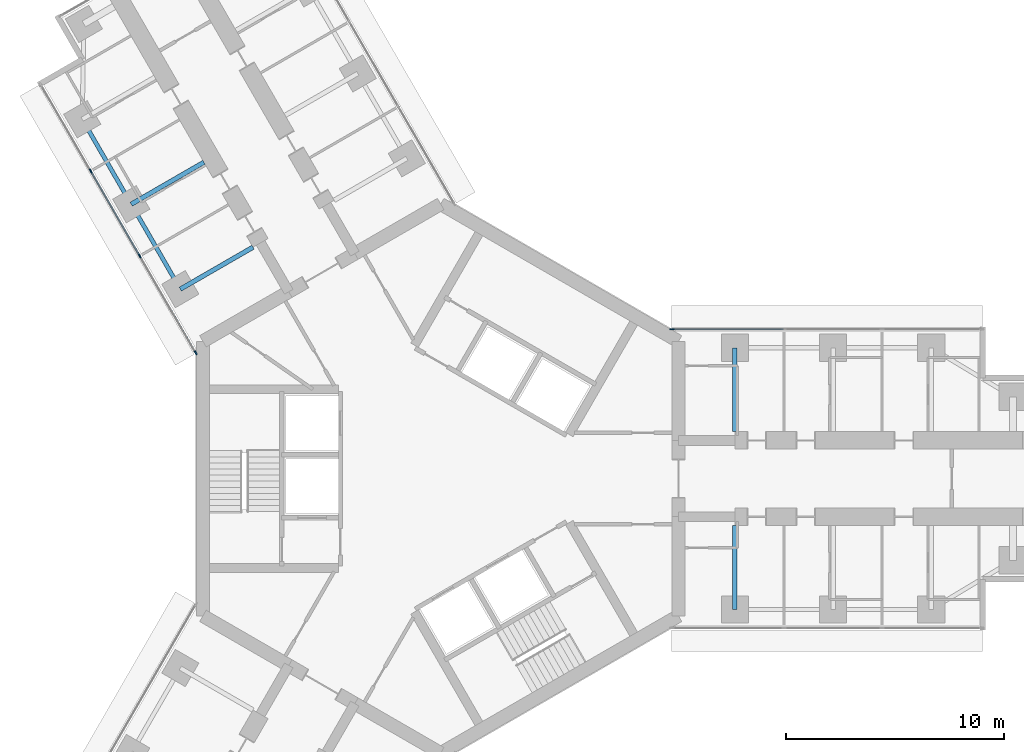
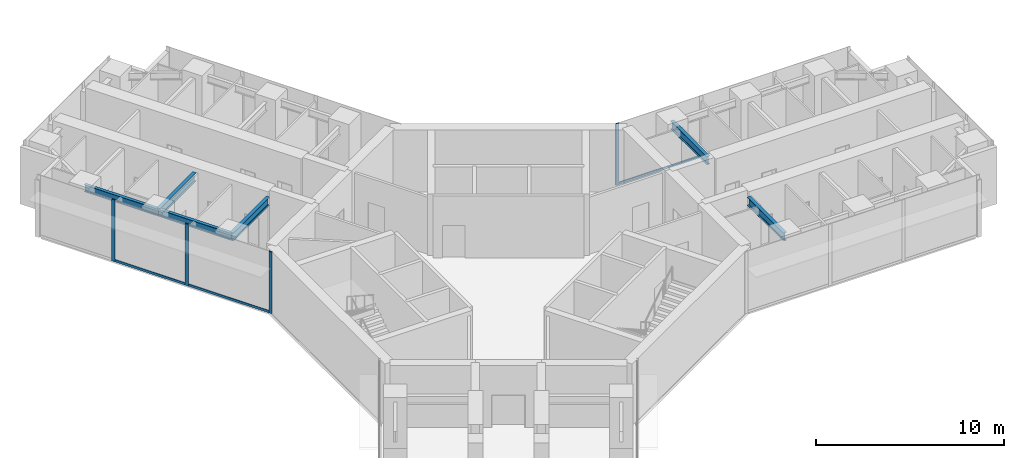
# One storey, part 5 of 23: 7 members, 6 beams, 2 elements without a shape of their own.
"""IFC4 building model written with IfcOpenShell, lengths in metres."""

from ifc_helpers import new_model, si_unit, direction, frame, origin, origin_2d, place, context, subcontext, project, spatial, rectangle, i_section, extrude, material, material_profile, profile_set, type_object, element, aggregate, save


model = new_model("IFC4")

# Units and contexts
model_context = context("Model", 3, precision=1e-05, world=origin(), true_north=direction((0.0, 1.0)))
body_context = subcontext(model_context, "Body", "Model", "MODEL_VIEW")
ifc_project = project(units=[si_unit("LENGTHUNIT", "METRE"), si_unit("AREAUNIT", "SQUARE_METRE"), si_unit("VOLUMEUNIT", "CUBIC_METRE"), si_unit("PLANEANGLEUNIT", "RADIAN"), si_unit("MASSUNIT", "GRAM", prefix="KILO")], contexts=[model_context])

# Site, building, storey
site_placement = place(None, origin())
site = spatial("IfcSite", under=ifc_project, at=site_placement, CompositionType="ELEMENT")
building_placement = place(site_placement, origin())
building = spatial("IfcBuilding", under=site, at=building_placement, Name="Upepo Twin Towers", CompositionType="ELEMENT")
storey_placement = place(building_placement, frame((0.0, 0.0, 161.5)))
storey = spatial("IfcBuildingStorey", under=building, at=storey_placement, Name="L39", CompositionType="ELEMENT", Elevation=161.5)

# Beams
ifc_material_1 = material(Name="Steel S355", Category="steel")
ifc_material_profile_1 = material_profile(ifc_material_1, i_section(OverallWidth=0.1904296875, OverallDepth=0.45703125, WebThickness=0.009033203125, FlangeThickness=0.014404296875, FilletRadius=0.01025390625, at=origin_2d()), Name="UB 457x191x74")
ifc_profile_set_1 = profile_set([ifc_material_profile_1], Name="Steel S355")
beam_type_1 = type_object("IfcBeamType", Name="Beam UB 457x191x74", PredefinedType="BEAM", material=ifc_profile_set_1)
beam_1_placement = place(storey_placement, frame((-11.946044921875, 8.69140625, 3.471435546875), z_axis=(-0.500013631625, 0.866017533419, 0.0), x_axis=(-0.866017533419, -0.500013631625, 0.0)))
element("IfcBeam", 1, at=beam_1_placement, inside=storey, type_object=beam_type_1, Name="T1 edge beam BL 13.5-18.0", PredefinedType="BEAM", context=body_context, shape_type="SweptSolid", body=[
    extrude(i_section(OverallWidth=0.1904296875, OverallDepth=0.45703125, WebThickness=0.009033203125, FlangeThickness=0.014404296875, FilletRadius=0.01025390625, at=origin_2d()), origin(), (0.0, 0.0, 1.0), 4.499755859375),
])
beam_2_placement = place(storey_placement, frame((-14.196044921875, 12.58837890625, 3.471435546875), z_axis=(-0.499990139034, 0.866031096941, 0.0), x_axis=(-0.866031096941, -0.499990139034, 0.0)))
element("IfcBeam", 2, at=beam_2_placement, inside=storey, type_object=beam_type_1, Name="T1 edge beam BL 18.0-22.5", PredefinedType="BEAM", context=body_context, shape_type="SweptSolid", body=[
    extrude(i_section(OverallWidth=0.1904296875, OverallDepth=0.45703125, WebThickness=0.009033203125, FlangeThickness=0.014404296875, FilletRadius=0.01025390625, at=origin_2d()), origin(), (0.0, 0.0, 1.0), 4.5),
])
ifc_material_2 = material(Name="Steel S355", Category="steel")
ifc_material_profile_2 = material_profile(ifc_material_2, i_section(OverallWidth=0.209228515625, OverallDepth=0.533203125, WebThickness=0.010009765625, FlangeThickness=0.015625, FilletRadius=0.0126953125, at=origin_2d()), Name="UB 533x210x92")
ifc_profile_set_2 = profile_set([ifc_material_profile_2], Name="Steel S355")
beam_type_2 = type_object("IfcBeamType", Name="Beam UB 533x210x92", PredefinedType="BEAM", material=ifc_profile_set_2)
for number, where, z_axis, x_axis, name in (
    (3, (13.5, 6.0, 3.433349609375), (0.0, -1.0, 0.0), (1.0, 0.0, 0.0), "T1 girder AL at 13.5"),
    (4, (13.5, -6.0, 3.433349609375), (0.0, 1.0, 0.0), (-1.0, 0.0, 0.0), "T1 girder AR at 13.5"),
):
    element("IfcBeam", number, at=place(storey_placement, frame(where, z_axis=z_axis, x_axis=x_axis)), inside=storey, type_object=beam_type_2, Name=name, PredefinedType="BEAM", context=body_context, shape_type="SweptSolid", body=[
        extrude(i_section(OverallWidth=0.209228515625, OverallDepth=0.533203125, WebThickness=0.010009765625, FlangeThickness=0.015625, FilletRadius=0.0126953125, at=origin_2d()), origin(), (0.0, 0.0, 1.0), 3.85009765625),
    ])
for number, where, z_axis, x_axis, name in (
    (5, (-11.946044921875, 8.69140625, 3.433349609375), (0.866006051527, 0.500033517596, 0.0), (-0.500033517596, 0.866006051527, 0.0), "T1 girder BL at 13.5"),
    (6, (-14.196044921875, 12.58837890625, 3.433349609375), (0.866006051527, 0.500033517596, 0.0), (-0.500033517596, 0.866006051527, 0.0), "T1 girder BL at 18.0"),
):
    element("IfcBeam", number, at=place(storey_placement, frame(where, z_axis=z_axis, x_axis=x_axis)), inside=storey, type_object=beam_type_2, Name=name, PredefinedType="BEAM", context=body_context, shape_type="SweptSolid", body=[
        extrude(i_section(OverallWidth=0.209228515625, OverallDepth=0.533203125, WebThickness=0.010009765625, FlangeThickness=0.015625, FilletRadius=0.0126953125, at=origin_2d()), origin(), (0.0, 0.0, 1.0), 3.849853515625),
    ])

# Curtain wall, member
ifc_material_3 = material(Name="Aluminium and fritted glass", Category="aluminium")
curtain_wall_type = type_object("IfcCurtainWallType", Name="Tower curtain wall TW2, fritted glass", PredefinedType="NOTDEFINED", material=ifc_material_3)
curtain_wall_1_placement = place(storey_placement, origin())
curtain_wall_1 = element("IfcCurtainWall", 7, at=curtain_wall_1_placement, inside=storey, type_object=curtain_wall_type, Name="T1 L39 wing A flank L curtain wall", PredefinedType="NOTDEFINED")
ifc_material_4 = material(Name="Aluminium mullion", Category="aluminium")
ifc_material_profile_3 = material_profile(ifc_material_4, rectangle(XDim=0.06494140625, YDim=0.199951171875, at=origin_2d()), Name="MULLION 65x200")
ifc_profile_set_3 = profile_set([ifc_material_profile_3], Name="Aluminium mullion")
member_type_1 = type_object("IfcMemberType", Name="Mullion 65x200 TW2", PredefinedType="MULLION", material=ifc_profile_set_3)
member_1_placement = place(storey_placement, frame((10.61962890625, 6.85009765625, 0.0), z_axis=(0.0, 0.0, 1.0), x_axis=(0.0, 1.0, 0.0)))
member_1 = element("IfcMember", 8, at=member_1_placement, type_object=member_type_1, Name="T1 L39 wing A flank L curtain wall mullion 1", PredefinedType="MULLION", context=body_context, shape_type="SweptSolid", body=[
    extrude(rectangle(XDim=0.06494140625, YDim=0.199951171875, at=origin_2d()), origin(), (0.0, 0.0, 1.0), 4.0),
])

# Curtain wall, members
curtain_wall_2_placement = place(storey_placement, origin())
curtain_wall_2 = element("IfcCurtainWall", 9, at=curtain_wall_2_placement, inside=storey, type_object=curtain_wall_type, Name="T1 L39 wing B flank L curtain wall", PredefinedType="NOTDEFINED")
member_2_placement = place(storey_placement, frame((-11.2421875, 5.77197265625, 0.0), z_axis=(0.0, 0.0, 1.0), x_axis=(-0.866025397833, -0.500000010308, 0.0)))
member_2 = element("IfcMember", 10, at=member_2_placement, type_object=member_type_1, Name="T1 L39 wing B flank L curtain wall mullion 1", PredefinedType="MULLION", context=body_context, shape_type="SweptSolid", body=[
    extrude(rectangle(XDim=0.06494140625, YDim=0.199951171875, at=origin_2d()), origin(), (0.0, 0.0, 1.0), 4.0),
])
member_3_placement = place(storey_placement, frame((-13.807373046875, 10.21484375, 0.0), z_axis=(0.0, 0.0, 1.0), x_axis=(-0.866025397833, -0.500000010308, 0.0)))
member_3 = element("IfcMember", 11, at=member_3_placement, type_object=member_type_1, Name="T1 L39 wing B flank L curtain wall mullion 2", PredefinedType="MULLION", context=body_context, shape_type="SweptSolid", body=[
    extrude(rectangle(XDim=0.06494140625, YDim=0.199951171875, at=origin_2d()), origin(), (0.0, 0.0, 1.0), 4.0),
])
member_4_placement = place(storey_placement, frame((-16.057373046875, 14.112060546875, 0.0), z_axis=(0.0, 0.0, 1.0), x_axis=(-0.866025397833, -0.500000010308, 0.0)))
member_4 = element("IfcMember", 12, at=member_4_placement, type_object=member_type_1, Name="T1 L39 wing B flank L curtain wall mullion 3", PredefinedType="MULLION", context=body_context, shape_type="SweptSolid", body=[
    extrude(rectangle(XDim=0.06494140625, YDim=0.199951171875, at=origin_2d()), origin(), (0.0, 0.0, 1.0), 4.0),
])

# Member
ifc_material_5 = material(Name="Aluminium transom", Category="aluminium")
ifc_material_profile_4 = material_profile(ifc_material_5, rectangle(XDim=0.06494140625, YDim=0.14990234375, at=origin_2d()), Name="TRANSOM 65x150")
ifc_profile_set_4 = profile_set([ifc_material_profile_4], Name="Aluminium transom")
member_type_2 = type_object("IfcMemberType", Name="Transom 65x150 TW2", PredefinedType="USERDEFINED", material=ifc_profile_set_4)
member_5_placement = place(storey_placement, frame((10.652099609375, 6.85009765625, 0.074951171875), z_axis=(1.0, 0.0, 0.0), x_axis=(0.0, 1.0, 0.0)))
member_5 = element("IfcMember", 13, at=member_5_placement, type_object=member_type_2, Name="T1 L39 wing A flank L curtain wall transom 1", ObjectType="TRANSOM", PredefinedType="USERDEFINED", context=body_context, shape_type="SweptSolid", body=[
    extrude(rectangle(XDim=0.06494140625, YDim=0.14990234375, at=origin_2d()), origin(), (0.0, 0.0, 1.0), 5.0654296875),
])

aggregate(curtain_wall_1, [member_1, member_5])

member_6_placement = place(storey_placement, frame((-11.25830078125, 5.800048828125, 0.074951171875), z_axis=(-0.500006158363, 0.866021848223, 0.0), x_axis=(-0.866021848223, -0.500006158363, 0.0)))
member_6 = element("IfcMember", 14, at=member_6_placement, type_object=member_type_2, Name="T1 L39 wing B flank L curtain wall transom 1", ObjectType="TRANSOM", PredefinedType="USERDEFINED", context=body_context, shape_type="SweptSolid", body=[
    extrude(rectangle(XDim=0.06494140625, YDim=0.14990234375, at=origin_2d()), origin(), (0.0, 0.0, 1.0), 5.0654296875),
])

member_7_placement = place(storey_placement, frame((-13.823486328125, 10.2431640625, 0.074951171875), z_axis=(-0.500005184116, 0.866022410713, 0.0), x_axis=(-0.866022410713, -0.500005184116, 0.0)))
member_7 = element("IfcMember", 15, at=member_7_placement, type_object=member_type_2, Name="T1 L39 wing B flank L curtain wall transom 2", ObjectType="TRANSOM", PredefinedType="USERDEFINED", context=body_context, shape_type="SweptSolid", body=[
    extrude(rectangle(XDim=0.06494140625, YDim=0.14990234375, at=origin_2d()), origin(), (0.0, 0.0, 1.0), 4.43505859375),
])

aggregate(curtain_wall_2, [member_2, member_3, member_4, member_6, member_7])

save(model, "model.ifc")
